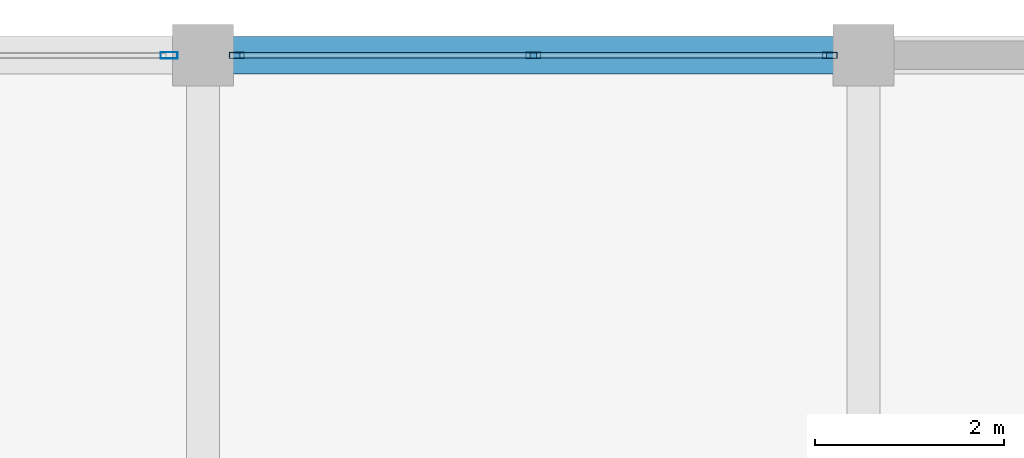
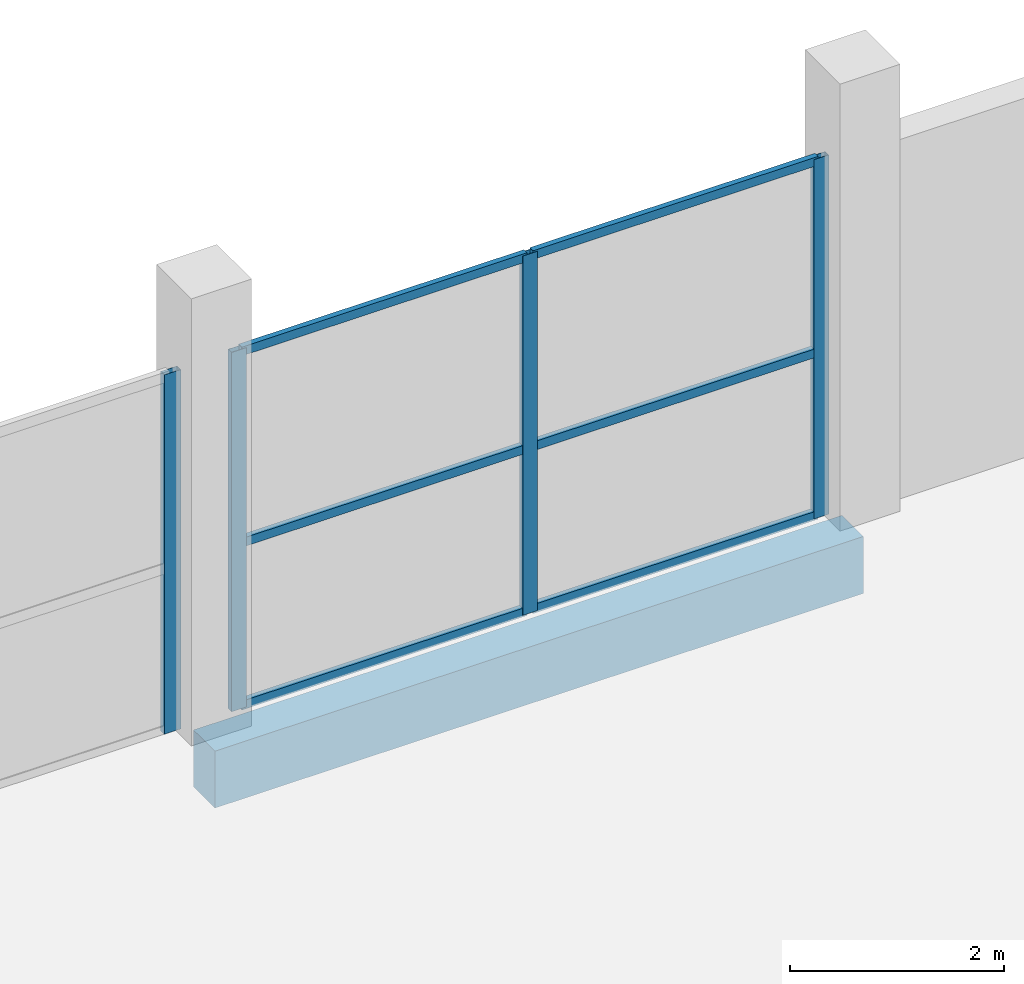
# One storey, part 43 of 67: 10 members, 1 beam, 2 elements without a shape of their own.
"""IFC4 building model written with IfcOpenShell, lengths in metres."""

from ifc_helpers import new_model, si_unit, direction, frame, origin, origin_2d, place, context, subcontext, project, spatial, rectangle, hollow_rectangle, extrude, material, layer, layer_set, material_profile, profile_set, type_object, element, aggregate, save


model = new_model("IFC4")

# Units and contexts
model_context = context("Model", 3, precision=1e-05, world=origin(), true_north=direction((0.0, 1.0)))
body_context = subcontext(model_context, "Body", "Model", "MODEL_VIEW")
ifc_project = project(units=[si_unit("LENGTHUNIT", "METRE"), si_unit("AREAUNIT", "SQUARE_METRE"), si_unit("VOLUMEUNIT", "CUBIC_METRE"), si_unit("PLANEANGLEUNIT", "RADIAN"), si_unit("MASSUNIT", "GRAM", prefix="KILO")], contexts=[model_context])

# Site, building, storey
site_placement = place(None, origin())
site = spatial("IfcSite", under=ifc_project, at=site_placement, CompositionType="ELEMENT")
building_placement = place(site_placement, origin())
building = spatial("IfcBuilding", under=site, at=building_placement, Name="Sillaruma Civic Art Gallery", CompositionType="ELEMENT")
storey_placement = place(building_placement, frame((0.0, 0.0, 46.919921875)))
storey = spatial("IfcBuildingStorey", under=building, at=storey_placement, Name="L09", CompositionType="ELEMENT", Elevation=46.919921875)

# Beam
ifc_material_1 = material(Name="Concrete H35 (35 MPa)", Category="concrete")
ifc_material_profile_1 = material_profile(ifc_material_1, rectangle(XDim=0.39990234375, YDim=0.64990234375, at=origin_2d()), Name="RCB400x650")
ifc_profile_set_1 = profile_set([ifc_material_profile_1], Name="Concrete H35 (35 MPa)")
beam_type = type_object("IfcBeamType", Name="BM-SPANDREL-RCB400x650", PredefinedType="SPANDREL", material=ifc_profile_set_1)
beam_placement = place(storey_placement, frame((77.0, 99.0, -0.574951171875), z_axis=(1.0, 0.0, 0.0), x_axis=(0.0, 1.0, 0.0)))
element("IfcBeam", 1, at=beam_placement, inside=storey, type_object=beam_type, Name="Beam BS-02 (L08:11:H-J)", PredefinedType="SPANDREL", context=body_context, shape_type="SweptSolid", body=[
    extrude(rectangle(XDim=0.39990234375, YDim=0.64990234375, at=origin_2d()), origin(), (0.0, 0.0, 1.0), 7.0),
])

# Curtain wall, members
ifc_material_2 = material(Name="Thermally Broken Extruded Aluminium 6063-T6", Category="aluminium")
ifc_layer_1 = layer(ifc_material_2, 0.159912109375, Name="Thermally Broken Extruded Aluminium 6063-T6")
ifc_layer_set_1 = layer_set([ifc_layer_1], Name="Thermally Broken Extruded Aluminium 6063-T6")
curtain_wall_type_1 = type_object("IfcCurtainWallType", Name="CW-UNI-68", PredefinedType="NOTDEFINED", material=ifc_layer_set_1)
curtain_wall_1_placement = place(storey_placement, origin())
curtain_wall_1 = element("IfcCurtainWall", 2, at=curtain_wall_1_placement, inside=storey, type_object=curtain_wall_type_1, Name="Unitised Curtain Wall CW-68 (CW-L09-WBN-3)", PredefinedType="NOTDEFINED")
ifc_material_profile_2 = material_profile(ifc_material_2, hollow_rectangle(XDim=0.06494140625, YDim=0.159912109375, WallThickness=0.00390625, at=origin_2d()), Name="CWM65x160")
ifc_profile_set_2 = profile_set([ifc_material_profile_2], Name="Thermally Broken Extruded Aluminium 6063-T6")
member_type_1 = type_object("IfcMemberType", Name="MEM-MUL-CWM65x160", PredefinedType="MULLION", material=ifc_profile_set_2)
member_1_placement = place(storey_placement, frame((77.357421875, 99.0, 0.0), z_axis=(0.0, 0.0, 1.0), x_axis=(0.0, 1.0, 0.0)))
member_1 = element("IfcMember", 3, at=member_1_placement, type_object=member_type_1, Name="CW-68 mullion 1", PredefinedType="MULLION", context=body_context, shape_type="SweptSolid", body=[
    extrude(hollow_rectangle(XDim=0.06494140625, YDim=0.159912109375, WallThickness=0.00390625, at=origin_2d()), origin(), (0.0, 0.0, 1.0), 4.10009765625),
])
member_2_placement = place(storey_placement, frame((80.5, 99.0, 0.0), z_axis=(0.0, 0.0, 1.0), x_axis=(0.0, 1.0, 0.0)))
member_2 = element("IfcMember", 4, at=member_2_placement, type_object=member_type_1, Name="CW-68 mullion 2", PredefinedType="MULLION", context=body_context, shape_type="SweptSolid", body=[
    extrude(hollow_rectangle(XDim=0.06494140625, YDim=0.159912109375, WallThickness=0.00390625, at=origin_2d()), origin(), (0.0, 0.0, 1.0), 4.10009765625),
])
member_3_placement = place(storey_placement, frame((83.642578125, 99.0, 0.0), z_axis=(0.0, 0.0, 1.0), x_axis=(0.0, 1.0, 0.0)))
member_3 = element("IfcMember", 5, at=member_3_placement, type_object=member_type_1, Name="CW-68 mullion 3", PredefinedType="MULLION", context=body_context, shape_type="SweptSolid", body=[
    extrude(hollow_rectangle(XDim=0.06494140625, YDim=0.159912109375, WallThickness=0.00390625, at=origin_2d()), origin(), (0.0, 0.0, 1.0), 4.10009765625),
])

# Curtain wall, member
ifc_layer_2 = layer(ifc_material_2, 0.179931640625, Name="Thermally Broken Extruded Aluminium 6063-T6")
ifc_layer_set_2 = layer_set([ifc_layer_2], Name="Thermally Broken Extruded Aluminium 6063-T6")
curtain_wall_type_2 = type_object("IfcCurtainWallType", Name="CW-UNI-67", PredefinedType="NOTDEFINED", material=ifc_layer_set_2)
curtain_wall_2_placement = place(storey_placement, origin())
curtain_wall_2 = element("IfcCurtainWall", 6, at=curtain_wall_2_placement, inside=storey, type_object=curtain_wall_type_2, Name="Unitised Curtain Wall CW-67 (CW-L09-WBN-2)", PredefinedType="NOTDEFINED")
ifc_material_profile_3 = material_profile(ifc_material_2, hollow_rectangle(XDim=0.070068359375, YDim=0.179931640625, WallThickness=0.00390625, at=origin_2d()), Name="CWM70x180")
ifc_profile_set_3 = profile_set([ifc_material_profile_3], Name="Thermally Broken Extruded Aluminium 6063-T6")
member_type_2 = type_object("IfcMemberType", Name="MEM-MUL-CWM70x180", PredefinedType="MULLION", material=ifc_profile_set_3)
member_4_placement = place(storey_placement, frame((76.639892578125, 99.0, 0.0), z_axis=(0.0, 0.0, 1.0), x_axis=(0.0, 1.0, 0.0)))
member_4 = element("IfcMember", 7, at=member_4_placement, type_object=member_type_2, Name="CW-67 mullion 3", PredefinedType="MULLION", context=body_context, shape_type="SweptSolid", body=[
    extrude(hollow_rectangle(XDim=0.070068359375, YDim=0.179931640625, WallThickness=0.00390625, at=origin_2d()), origin(), (0.0, 0.0, 1.0), 4.10009765625),
])
aggregate(curtain_wall_2, [member_4])

# Member
ifc_material_profile_4 = material_profile(ifc_material_2, hollow_rectangle(XDim=0.06005859375, YDim=0.10009765625, WallThickness=0.003173828125, at=origin_2d()), Name="CWT60x100")
ifc_profile_set_4 = profile_set([ifc_material_profile_4], Name="Thermally Broken Extruded Aluminium 6063-T6")
member_type_3 = type_object("IfcMemberType", Name="MEM-TRN-CWT60x100", PredefinedType="USERDEFINED", material=ifc_profile_set_4)
member_5_placement = place(storey_placement, frame((77.389892578125, 99.0, 0.030029296875), z_axis=(1.0, 0.0, 0.0), x_axis=(0.0, 1.0, 0.0)))
member_5 = element("IfcMember", 8, at=member_5_placement, type_object=member_type_3, Name="CW-68 transom 1.1", ObjectType="TRANSOM", PredefinedType="USERDEFINED", context=body_context, shape_type="SweptSolid", body=[
    extrude(hollow_rectangle(XDim=0.06005859375, YDim=0.10009765625, WallThickness=0.003173828125, at=origin_2d()), origin(), (0.0, 0.0, 1.0), 3.07763671875),
])

member_6_placement = place(storey_placement, frame((77.389892578125, 99.0, 1.885986328125), z_axis=(1.0, 0.0, 0.0), x_axis=(0.0, 1.0, 0.0)))
member_6 = element("IfcMember", 9, at=member_6_placement, type_object=member_type_3, Name="CW-68 transom 1.2", ObjectType="TRANSOM", PredefinedType="USERDEFINED", context=body_context, shape_type="SweptSolid", body=[
    extrude(hollow_rectangle(XDim=0.06005859375, YDim=0.10009765625, WallThickness=0.003173828125, at=origin_2d()), origin(), (0.0, 0.0, 1.0), 3.07763671875),
])

member_7_placement = place(storey_placement, frame((77.389892578125, 99.0, 4.070068359375), z_axis=(1.0, 0.0, 0.0), x_axis=(0.0, 1.0, 0.0)))
member_7 = element("IfcMember", 10, at=member_7_placement, type_object=member_type_3, Name="CW-68 transom 1.3", ObjectType="TRANSOM", PredefinedType="USERDEFINED", context=body_context, shape_type="SweptSolid", body=[
    extrude(hollow_rectangle(XDim=0.06005859375, YDim=0.10009765625, WallThickness=0.003173828125, at=origin_2d()), origin(), (0.0, 0.0, 1.0), 3.07763671875),
])

member_8_placement = place(storey_placement, frame((80.532470703125, 99.0, 0.030029296875), z_axis=(1.0, 0.0, 0.0), x_axis=(0.0, 1.0, 0.0)))
member_8 = element("IfcMember", 11, at=member_8_placement, type_object=member_type_3, Name="CW-68 transom 2.1", ObjectType="TRANSOM", PredefinedType="USERDEFINED", context=body_context, shape_type="SweptSolid", body=[
    extrude(hollow_rectangle(XDim=0.06005859375, YDim=0.10009765625, WallThickness=0.003173828125, at=origin_2d()), origin(), (0.0, 0.0, 1.0), 3.07763671875),
])

member_9_placement = place(storey_placement, frame((80.532470703125, 99.0, 1.885986328125), z_axis=(1.0, 0.0, 0.0), x_axis=(0.0, 1.0, 0.0)))
member_9 = element("IfcMember", 12, at=member_9_placement, type_object=member_type_3, Name="CW-68 transom 2.2", ObjectType="TRANSOM", PredefinedType="USERDEFINED", context=body_context, shape_type="SweptSolid", body=[
    extrude(hollow_rectangle(XDim=0.06005859375, YDim=0.10009765625, WallThickness=0.003173828125, at=origin_2d()), origin(), (0.0, 0.0, 1.0), 3.07763671875),
])

member_10_placement = place(storey_placement, frame((80.532470703125, 99.0, 4.070068359375), z_axis=(1.0, 0.0, 0.0), x_axis=(0.0, 1.0, 0.0)))
member_10 = element("IfcMember", 13, at=member_10_placement, type_object=member_type_3, Name="CW-68 transom 2.3", ObjectType="TRANSOM", PredefinedType="USERDEFINED", context=body_context, shape_type="SweptSolid", body=[
    extrude(hollow_rectangle(XDim=0.06005859375, YDim=0.10009765625, WallThickness=0.003173828125, at=origin_2d()), origin(), (0.0, 0.0, 1.0), 3.07763671875),
])

aggregate(curtain_wall_1, [member_1, member_2, member_3, member_5, member_6, member_7, member_8, member_9, member_10])

save(model, "model.ifc")
